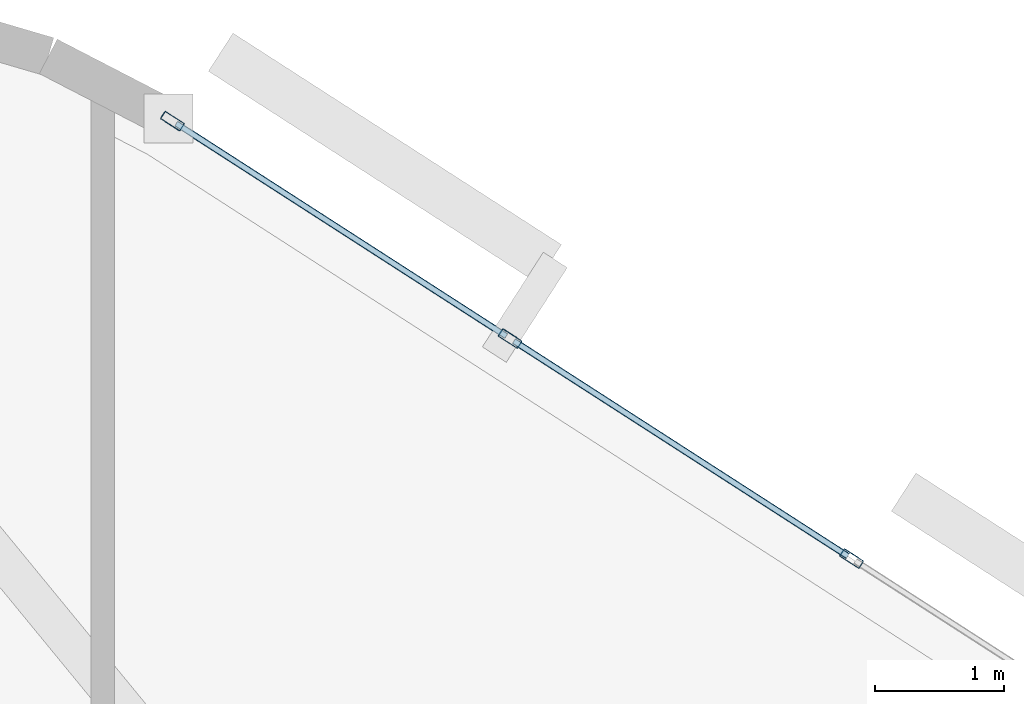
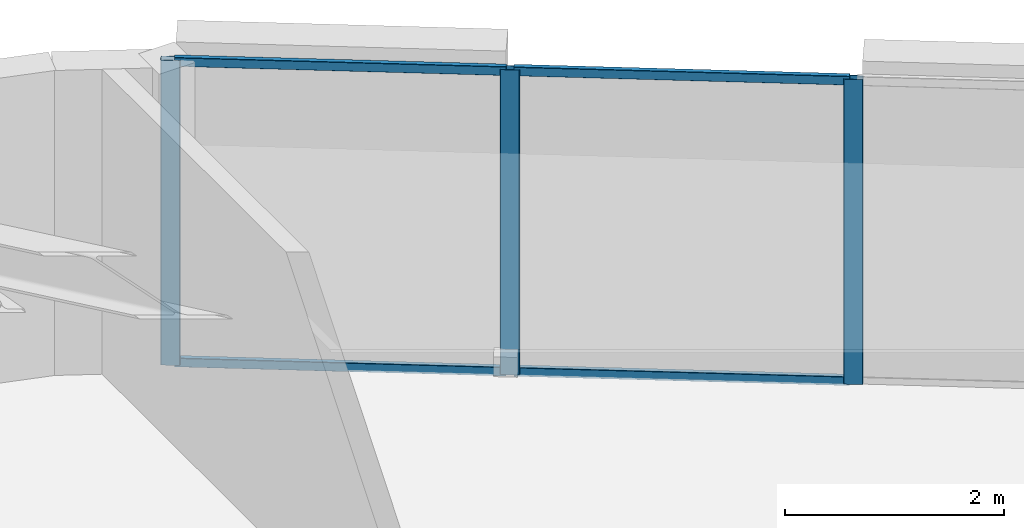
# One storey, part 8 of 15: 7 members, 1 element without a shape of its own.
"""IFC4 building model written with IfcOpenShell, lengths in metres."""

from ifc_helpers import new_model, si_unit, direction, frame, origin, origin_2d, place, context, subcontext, project, spatial, hollow_rectangle, extrude, material, layer, layer_set, material_profile, profile_set, type_object, element, aggregate, save


model = new_model("IFC4")

# Units and contexts
model_context = context("Model", 3, precision=1e-05, world=origin(), true_north=direction((0.0, 1.0)))
body_context = subcontext(model_context, "Body", "Model", "MODEL_VIEW")
ifc_project = project(units=[si_unit("LENGTHUNIT", "METRE"), si_unit("AREAUNIT", "SQUARE_METRE"), si_unit("VOLUMEUNIT", "CUBIC_METRE"), si_unit("PLANEANGLEUNIT", "RADIAN"), si_unit("MASSUNIT", "GRAM", prefix="KILO")], contexts=[model_context])

# Site, building, storey
site_placement = place(None, origin())
site = spatial("IfcSite", under=ifc_project, at=site_placement, CompositionType="ELEMENT")
building_placement = place(site_placement, origin())
building = spatial("IfcBuilding", under=site, at=building_placement, Name="An Khanh Terracotta Commons", CompositionType="ELEMENT")
storey_placement = place(building_placement, frame((0.0, 0.0, 169.0)))
storey = spatial("IfcBuildingStorey", under=building, at=storey_placement, Name="L44", CompositionType="ELEMENT", Elevation=169.0)

# Curtain wall, members
ifc_material = material(Name="Anodised Aluminium 6063-T6", Category="aluminium")
ifc_layer = layer(ifc_material, 0.2099609375, Name="Anodised Aluminium 6063-T6")
ifc_layer_set = layer_set([ifc_layer], Name="Anodised Aluminium 6063-T6")
curtain_wall_type = type_object("IfcCurtainWallType", Name="CW-SYS-03", PredefinedType="USERDEFINED", material=ifc_layer_set)
curtain_wall_placement = place(storey_placement, origin())
curtain_wall = element("IfcCurtainWall", 1, at=curtain_wall_placement, inside=storey, type_object=curtain_wall_type, Name="L44 CW-03 Unitised Curtain Wall CW-L44-16", ObjectType="UNITISED CURTAIN WALL", PredefinedType="USERDEFINED")
ifc_material_profile_1 = material_profile(ifc_material, hollow_rectangle(XDim=0.070068359375, YDim=0.179931640625, WallThickness=0.00390625, InnerFilletRadius=0.00390625, OuterFilletRadius=0.008056640625, at=origin_2d()), Name="RHS180x70x4")
ifc_profile_set_1 = profile_set([ifc_material_profile_1], Name="Anodised Aluminium 6063-T6")
member_type_1 = type_object("IfcMemberType", Name="CWM-RHS180x70x4", PredefinedType="MULLION", material=ifc_profile_set_1)
member_1_placement = place(storey_placement, frame((57.838623046875, 37.52392578125, 0.0), z_axis=(0.0, 0.0, 1.0), x_axis=(-0.541497931062, -0.840702081986, 0.0)))
member_1 = element("IfcMember", 2, at=member_1_placement, type_object=member_type_1, Name="CW-03 mullion 2", PredefinedType="MULLION", context=body_context, shape_type="SweptSolid", body=[
    extrude(hollow_rectangle(XDim=0.070068359375, YDim=0.179931640625, WallThickness=0.00390625, InnerFilletRadius=0.00390625, OuterFilletRadius=0.008056640625, at=origin_2d()), origin(), (0.0, 0.0, 1.0), 3.39990234375),
])
member_2_placement = place(storey_placement, frame((55.19921875, 39.22412109375, 0.0), z_axis=(0.0, 0.0, 1.0), x_axis=(-0.541497931062, -0.840702081986, 0.0)))
member_2 = element("IfcMember", 3, at=member_2_placement, type_object=member_type_1, Name="CW-03 mullion 3", PredefinedType="MULLION", context=body_context, shape_type="SweptSolid", body=[
    extrude(hollow_rectangle(XDim=0.070068359375, YDim=0.179931640625, WallThickness=0.00390625, InnerFilletRadius=0.00390625, OuterFilletRadius=0.008056640625, at=origin_2d()), origin(), (0.0, 0.0, 1.0), 3.39990234375),
])
member_3_placement = place(storey_placement, frame((52.58935546875, 40.905029296875, 0.0), z_axis=(0.0, 0.0, 1.0), x_axis=(-0.541497931062, -0.840702081986, 0.0)))
member_3 = element("IfcMember", 4, at=member_3_placement, type_object=member_type_1, Name="CW-03 mullion 4", PredefinedType="MULLION", context=body_context, shape_type="SweptSolid", body=[
    extrude(hollow_rectangle(XDim=0.070068359375, YDim=0.179931640625, WallThickness=0.00390625, InnerFilletRadius=0.00390625, OuterFilletRadius=0.008056640625, at=origin_2d()), origin(), (0.0, 0.0, 1.0), 3.39990234375),
])
ifc_material_profile_2 = material_profile(ifc_material, hollow_rectangle(XDim=0.050048828125, YDim=0.10009765625, WallThickness=0.003173828125, InnerFilletRadius=0.003173828125, OuterFilletRadius=0.00634765625, at=origin_2d()), Name="RHS100x50x3.2")
ifc_profile_set_2 = profile_set([ifc_material_profile_2], Name="Anodised Aluminium 6063-T6")
member_type_2 = type_object("IfcMemberType", Name="CWT-RHS100x50x3.2", PredefinedType="USERDEFINED", material=ifc_profile_set_2)
member_4_placement = place(storey_placement, frame((57.809326171875, 37.54296875, 0.02490234375), z_axis=(-0.840707825526, 0.54148901383, 0.0), x_axis=(-0.54148901383, -0.840707825526, 0.0)))
member_4 = element("IfcMember", 5, at=member_4_placement, type_object=member_type_2, Name="CW-03 transom 2.1", ObjectType="TRANSOM", PredefinedType="USERDEFINED", context=body_context, shape_type="SweptSolid", body=[
    extrude(hollow_rectangle(XDim=0.050048828125, YDim=0.10009765625, WallThickness=0.003173828125, InnerFilletRadius=0.003173828125, OuterFilletRadius=0.00634765625, at=origin_2d()), origin(), (0.0, 0.0, 1.0), 3.069580078125),
])
member_5_placement = place(storey_placement, frame((57.809326171875, 37.54296875, 3.375), z_axis=(-0.840707825526, 0.54148901383, 0.0), x_axis=(-0.54148901383, -0.840707825526, 0.0)))
member_5 = element("IfcMember", 6, at=member_5_placement, type_object=member_type_2, Name="CW-03 transom 2.2", ObjectType="TRANSOM", PredefinedType="USERDEFINED", context=body_context, shape_type="SweptSolid", body=[
    extrude(hollow_rectangle(XDim=0.050048828125, YDim=0.10009765625, WallThickness=0.003173828125, InnerFilletRadius=0.003173828125, OuterFilletRadius=0.00634765625, at=origin_2d()), origin(), (0.0, 0.0, 1.0), 3.069580078125),
])
member_6_placement = place(storey_placement, frame((55.169921875, 39.242919921875, 0.02490234375), z_axis=(-0.840710223453, 0.541485290826, 0.0), x_axis=(-0.541485290826, -0.840710223453, 0.0)))
member_6 = element("IfcMember", 7, at=member_6_placement, type_object=member_type_2, Name="CW-03 transom 3.1", ObjectType="TRANSOM", PredefinedType="USERDEFINED", context=body_context, shape_type="SweptSolid", body=[
    extrude(hollow_rectangle(XDim=0.050048828125, YDim=0.10009765625, WallThickness=0.003173828125, InnerFilletRadius=0.003173828125, OuterFilletRadius=0.00634765625, at=origin_2d()), origin(), (0.0, 0.0, 1.0), 3.034423828125),
])
member_7_placement = place(storey_placement, frame((55.169921875, 39.242919921875, 3.375), z_axis=(-0.840710223453, 0.541485290826, 0.0), x_axis=(-0.541485290826, -0.840710223453, 0.0)))
member_7 = element("IfcMember", 8, at=member_7_placement, type_object=member_type_2, Name="CW-03 transom 3.2", ObjectType="TRANSOM", PredefinedType="USERDEFINED", context=body_context, shape_type="SweptSolid", body=[
    extrude(hollow_rectangle(XDim=0.050048828125, YDim=0.10009765625, WallThickness=0.003173828125, InnerFilletRadius=0.003173828125, OuterFilletRadius=0.00634765625, at=origin_2d()), origin(), (0.0, 0.0, 1.0), 3.034423828125),
])
aggregate(curtain_wall, [member_1, member_2, member_3, member_4, member_5, member_6, member_7])

save(model, "model.ifc")
